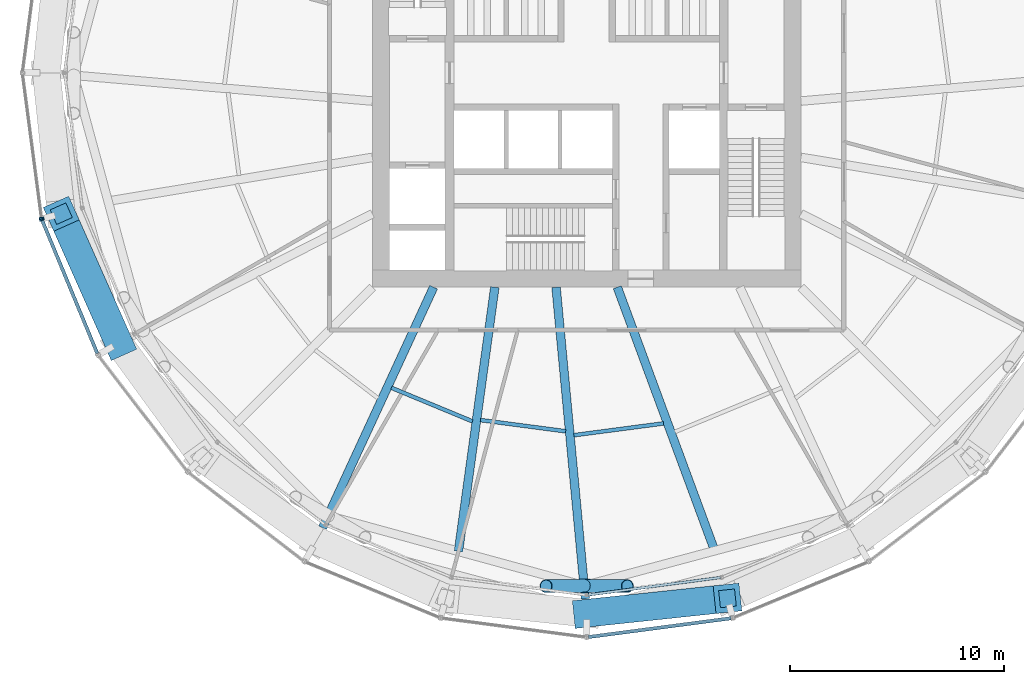
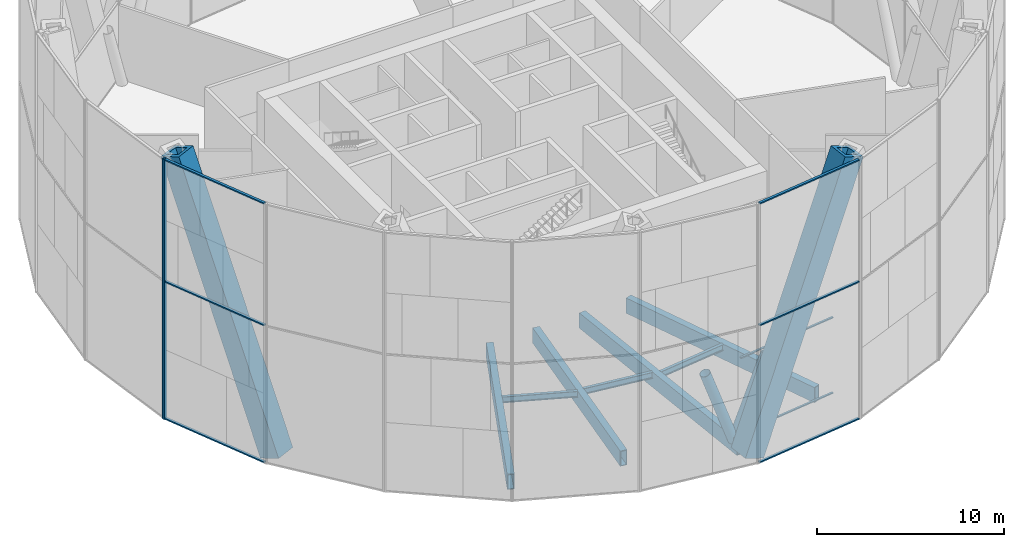
# One storey, part 2 of 16: 14 members, 7 beams, 4 elements without a shape of their own.
"""IFC4 building model written with IfcOpenShell, lengths in metres."""

from ifc_helpers import new_model, si_unit, direction, frame, origin, origin_2d, place, context, subcontext, project, spatial, rectangle, hollow_rectangle, hollow_circle, i_section, extrude, material, material_profile, profile_set, type_object, element, aggregate, save


model = new_model("IFC4")

# Units and contexts
model_context = context("Model", 3, precision=1e-05, world=origin(), true_north=direction((0.0, 1.0)))
body_context = subcontext(model_context, "Body", "Model", "MODEL_VIEW")
ifc_project = project(units=[si_unit("LENGTHUNIT", "METRE"), si_unit("AREAUNIT", "SQUARE_METRE"), si_unit("VOLUMEUNIT", "CUBIC_METRE"), si_unit("PLANEANGLEUNIT", "RADIAN"), si_unit("MASSUNIT", "GRAM", prefix="KILO")], contexts=[model_context])

# Site, building, storey
site_placement = place(None, origin())
site = spatial("IfcSite", under=ifc_project, at=site_placement, CompositionType="ELEMENT")
building_placement = place(site_placement, origin())
building = spatial("IfcBuilding", under=site, at=building_placement, Name="Golbaran Civic Tower", CompositionType="ELEMENT")
storey_placement = place(building_placement, frame((0.0, 0.0, 85.0)))
storey = spatial("IfcBuildingStorey", under=building, at=storey_placement, Name="L20", CompositionType="ELEMENT", Elevation=85.0)

# Members
ifc_material_1 = material(Name="Steel S355", Category="steel")
ifc_material_profile_1 = material_profile(ifc_material_1, hollow_circle(Radius=0.304931640625, WallThickness=0.02490234375, at=origin_2d()), Name="CHS 610.0x25")
ifc_profile_set_1 = profile_set([ifc_material_profile_1], Name="Steel S355")
member_type_1 = type_object("IfcMemberType", Name="BELT TRUSS DIAGONAL CHS 610.0x25", PredefinedType="BRACE", material=ifc_profile_set_1)
member_1_placement = place(storey_placement, frame((-0.12060546875, -23.92724609375, -0.60009765625), z_axis=(0.37411916029, -0.003622552992, 0.927373566053), x_axis=(0.009682431606, 0.99995312416, 0.0)))
element("IfcMember", 1, at=member_1_placement, inside=storey, type_object=member_type_1, Name="Belt truss diagonal 270.00R L20", PredefinedType="BRACE", context=body_context, shape_type="SweptSolid", body=[
    extrude(hollow_circle(Radius=0.304931640625, WallThickness=0.02490234375, at=origin_2d()), origin(), (0.0, 0.0, 1.0), 5.3916015625),
])
member_2_placement = place(storey_placement, frame((-0.12060546875, -23.92724609375, -0.60009765625), z_axis=(-0.334689673848, -0.003680942247, 0.942321215342), x_axis=(0.010997410246, -0.999939526655, 0.0)))
element("IfcMember", 2, at=member_2_placement, inside=storey, type_object=member_type_1, Name="Belt truss diagonal 270.00L L20", PredefinedType="BRACE", context=body_context, shape_type="SweptSolid", body=[
    extrude(hollow_circle(Radius=0.304931640625, WallThickness=0.02490234375, at=origin_2d()), origin(), (0.0, 0.0, 1.0), 5.30615234375),
])
ifc_material_profile_2 = material_profile(ifc_material_1, hollow_rectangle(XDim=1.300048828125, YDim=1.300048828125, WallThickness=0.25, at=origin_2d()), Name="BOX 1300x1300x250")
ifc_profile_set_2 = profile_set([ifc_material_profile_2], Name="Steel S355")
member_type_2 = type_object("IfcMemberType", Name="DIAGRID DIAGONAL BOX 1300x1300x250", PredefinedType="BRACE", material=ifc_profile_set_2)
for number, where, z_axis, x_axis, name in (
    (3, (-21.833251953125, -12.60546875, -0.7099609375), (-0.14710040459, 0.330972563789, 0.932104410991), (-0.913810024533, -0.406141895231, 0.0), "Diagonal D04-07L L20-L24"),
    (4, (0.0, -25.2109375, -0.7099609375), (0.360181059018, 0.038096974541, 0.932104192274), (-0.105184981916, 0.994452673373, 0.0), "Diagonal D04-09R L20-L24"),
):
    element("IfcMember", number, at=place(storey_placement, frame(where, z_axis=z_axis, x_axis=x_axis)), inside=storey, type_object=member_type_2, Name=name, PredefinedType="BRACE", context=body_context, shape_type="SweptSolid", body=[
        extrude(hollow_rectangle(XDim=1.300048828125, YDim=1.300048828125, WallThickness=0.25, at=origin_2d()), origin(), (0.0, 0.0, 1.0), 18.23828125),
    ])

# Beams
ifc_material_profile_3 = material_profile(ifc_material_1, i_section(OverallWidth=0.179931640625, OverallDepth=0.39990234375, WebThickness=0.008544921875, FlangeThickness=0.013427734375, FilletRadius=0.02099609375, at=origin_2d()), Name="IPE 400")
ifc_profile_set_3 = profile_set([ifc_material_profile_3], Name="Steel S355")
beam_type_1 = type_object("IfcBeamType", Name="FLOOR INFILL BEAM IPE 400", PredefinedType="BEAM", material=ifc_profile_set_3)
beam_1_placement = place(storey_placement, frame((-9.11083984375, -14.6923828125, -0.39990234375), z_axis=(0.923891810372, -0.382653789642, 0.0), x_axis=(0.382653789642, 0.923891810372, 0.0)))
element("IfcBeam", 5, at=beam_1_placement, inside=storey, type_object=beam_type_1, Name="Infill beam 247.50 L20", PredefinedType="BEAM", context=body_context, shape_type="SweptSolid", body=[
    extrude(i_section(OverallWidth=0.179931640625, OverallDepth=0.39990234375, WebThickness=0.008544921875, FlangeThickness=0.013427734375, FilletRadius=0.02099609375, at=origin_2d()), origin(), (0.0, 0.0, 1.0), 4.093505859375),
])
beam_2_placement = place(storey_placement, frame((-4.95703125, -16.198486328125, -0.39990234375), z_axis=(0.991442282273, -0.13054578094, 0.0), x_axis=(0.13054578094, 0.991442282273, 0.0)))
element("IfcBeam", 6, at=beam_2_placement, inside=storey, type_object=beam_type_1, Name="Infill beam 262.50 L20", PredefinedType="BEAM", context=body_context, shape_type="SweptSolid", body=[
    extrude(i_section(OverallWidth=0.179931640625, OverallDepth=0.39990234375, WebThickness=0.008544921875, FlangeThickness=0.013427734375, FilletRadius=0.02099609375, at=origin_2d()), origin(), (0.0, 0.0, 1.0), 4.013427734375),
])
beam_3_placement = place(storey_placement, frame((-0.59912109375, -16.906005859375, -0.39990234375), z_axis=(0.991444253389, 0.130530810237, 0.0), x_axis=(-0.130530810237, 0.991444253389, 0.0)))
element("IfcBeam", 7, at=beam_3_placement, inside=storey, type_object=beam_type_1, Name="Infill beam 277.50 L20", PredefinedType="BEAM", context=body_context, shape_type="SweptSolid", body=[
    extrude(i_section(OverallWidth=0.179931640625, OverallDepth=0.39990234375, WebThickness=0.008544921875, FlangeThickness=0.013427734375, FilletRadius=0.02099609375, at=origin_2d()), origin(), (0.0, 0.0, 1.0), 4.221435546875),
])

# Curtain wall, member
ifc_material_2 = material(Name="Aluminium and glass", Category="aluminium")
curtain_wall_type_1 = type_object("IfcCurtainWallType", Name="OUTER SKIN TERRACOTTA SCREEN", PredefinedType="NOTDEFINED", material=ifc_material_2)
curtain_wall_1_placement = place(storey_placement, origin())
curtain_wall_1 = element("IfcCurtainWall", 8, at=curtain_wall_1_placement, inside=storey, type_object=curtain_wall_type_1, Name="Outer skin L20 facet 13 CW3", ObjectType="OUTER SKIN", PredefinedType="USERDEFINED")
ifc_material_3 = material(Name="Aluminium", Category="aluminium")
ifc_material_profile_4 = material_profile(ifc_material_3, rectangle(XDim=0.219970703125, YDim=0.080078125, at=origin_2d()), Name="OUTER SKIN TERRACOTTA SCREEN MULLION")
ifc_profile_set_4 = profile_set([ifc_material_profile_4], Name="Aluminium")
member_type_3 = type_object("IfcMemberType", Name="OUTER SKIN TERRACOTTA SCREEN MULLION", PredefinedType="MULLION", material=ifc_profile_set_4)
member_3_placement = place(storey_placement, frame((-25.43896484375, -6.775390625, -0.7099609375), z_axis=(0.0, 0.0, 1.0), x_axis=(0.991444861374, 0.13052619222, 0.0)))
member_3 = element("IfcMember", 9, at=member_3_placement, type_object=member_type_3, Name="CW3 mullion 2", PredefinedType="MULLION", context=body_context, shape_type="SweptSolid", body=[
    extrude(rectangle(XDim=0.219970703125, YDim=0.080078125, at=origin_2d()), origin(), (0.0, 0.0, 1.0), 17.0),
])
aggregate(curtain_wall_1, [member_3])

# Curtain wall, members
curtain_wall_2_placement = place(storey_placement, origin())
curtain_wall_2 = element("IfcCurtainWall", 10, at=curtain_wall_2_placement, inside=storey, type_object=curtain_wall_type_1, Name="Outer skin L20 facet 14 CW3", ObjectType="OUTER SKIN", PredefinedType="USERDEFINED")
member_4_placement = place(storey_placement, frame((-25.41845703125, -6.851806640625, -0.7099609375), z_axis=(0.0, 0.0, 1.0), x_axis=(0.923879532498, 0.382683432397, 0.0)))
member_4 = element("IfcMember", 11, at=member_4_placement, type_object=member_type_3, Name="CW3 mullion 1", PredefinedType="MULLION", context=body_context, shape_type="SweptSolid", body=[
    extrude(rectangle(XDim=0.219970703125, YDim=0.080078125, at=origin_2d()), origin(), (0.0, 0.0, 1.0), 17.0),
])
ifc_material_profile_5 = material_profile(ifc_material_3, rectangle(XDim=0.159912109375, YDim=0.080078125, at=origin_2d()), Name="OUTER SKIN TERRACOTTA SCREEN TRANSOM")
ifc_profile_set_5 = profile_set([ifc_material_profile_5], Name="Aluminium")
member_type_4 = type_object("IfcMemberType", Name="OUTER SKIN TERRACOTTA SCREEN TRANSOM", PredefinedType="USERDEFINED", material=ifc_profile_set_5)
member_5_placement = place(storey_placement, frame((-25.403076171875, -6.888916015625, -0.669921875), z_axis=(0.382667609507, -0.923886086395, 0.0), x_axis=(0.923886086395, 0.382667609507, 0.0)))
member_5 = element("IfcMember", 12, at=member_5_placement, type_object=member_type_4, Name="CW3 transom 1.1", ObjectType="TRANSOM", PredefinedType="USERDEFINED", context=body_context, shape_type="SweptSolid", body=[
    extrude(rectangle(XDim=0.159912109375, YDim=0.080078125, at=origin_2d()), origin(), (0.0, 0.0, 1.0), 6.713623046875),
])
member_6_placement = place(storey_placement, frame((-25.403076171875, -6.888916015625, 8.2900390625), z_axis=(0.382667609507, -0.923886086395, 0.0), x_axis=(0.923886086395, 0.382667609507, 0.0)))
member_6 = element("IfcMember", 13, at=member_6_placement, type_object=member_type_4, Name="CW3 transom 1.2", ObjectType="TRANSOM", PredefinedType="USERDEFINED", context=body_context, shape_type="SweptSolid", body=[
    extrude(rectangle(XDim=0.159912109375, YDim=0.080078125, at=origin_2d()), origin(), (0.0, 0.0, 1.0), 6.713623046875),
])
member_7_placement = place(storey_placement, frame((-25.403076171875, -6.888916015625, 16.25), z_axis=(0.382667609507, -0.923886086395, 0.0), x_axis=(0.923886086395, 0.382667609507, 0.0)))
member_7 = element("IfcMember", 14, at=member_7_placement, type_object=member_type_4, Name="CW3 transom 1.3", ObjectType="TRANSOM", PredefinedType="USERDEFINED", context=body_context, shape_type="SweptSolid", body=[
    extrude(rectangle(XDim=0.159912109375, YDim=0.080078125, at=origin_2d()), origin(), (0.0, 0.0, 1.0), 6.713623046875),
])
aggregate(curtain_wall_2, [member_4, member_5, member_6, member_7])

curtain_wall_3_placement = place(storey_placement, origin())
curtain_wall_3 = element("IfcCurtainWall", 15, at=curtain_wall_3_placement, inside=storey, type_object=curtain_wall_type_1, Name="Outer skin L20 facet 19 CW3", ObjectType="OUTER SKIN", PredefinedType="USERDEFINED")
member_8_placement = place(storey_placement, frame((0.079345703125, -26.320556640625, -0.669921875), z_axis=(0.991446619865, 0.130512834459, 0.0), x_axis=(-0.130512834459, 0.991446619865, 0.0)))
member_8 = element("IfcMember", 16, at=member_8_placement, type_object=member_type_4, Name="CW3 transom 1.1", ObjectType="TRANSOM", PredefinedType="USERDEFINED", context=body_context, shape_type="SweptSolid", body=[
    extrude(rectangle(XDim=0.159912109375, YDim=0.080078125, at=origin_2d()), origin(), (0.0, 0.0, 1.0), 6.713623046875),
])
member_9_placement = place(storey_placement, frame((0.079345703125, -26.320556640625, 8.2900390625), z_axis=(0.991446619865, 0.130512834459, 0.0), x_axis=(-0.130512834459, 0.991446619865, 0.0)))
member_9 = element("IfcMember", 17, at=member_9_placement, type_object=member_type_4, Name="CW3 transom 1.2", ObjectType="TRANSOM", PredefinedType="USERDEFINED", context=body_context, shape_type="SweptSolid", body=[
    extrude(rectangle(XDim=0.159912109375, YDim=0.080078125, at=origin_2d()), origin(), (0.0, 0.0, 1.0), 6.713623046875),
])
member_10_placement = place(storey_placement, frame((0.079345703125, -26.320556640625, 16.25), z_axis=(0.991446619865, 0.130512834459, 0.0), x_axis=(-0.130512834459, 0.991446619865, 0.0)))
member_10 = element("IfcMember", 18, at=member_10_placement, type_object=member_type_4, Name="CW3 transom 1.3", ObjectType="TRANSOM", PredefinedType="USERDEFINED", context=body_context, shape_type="SweptSolid", body=[
    extrude(rectangle(XDim=0.159912109375, YDim=0.080078125, at=origin_2d()), origin(), (0.0, 0.0, 1.0), 6.713623046875),
])
aggregate(curtain_wall_3, [member_8, member_9, member_10])

curtain_wall_type_2 = type_object("IfcCurtainWallType", Name="PLANT FLOOR LOUVRE WALL", PredefinedType="NOTDEFINED", material=ifc_material_2)
curtain_wall_4_placement = place(storey_placement, origin())
curtain_wall_4 = element("IfcCurtainWall", 19, at=curtain_wall_4_placement, inside=storey, type_object=curtain_wall_type_2, Name="Inner skin L20 facet 19 CW6", ObjectType="PLANT LOUVRE WALL", PredefinedType="USERDEFINED")
ifc_material_profile_6 = material_profile(ifc_material_3, rectangle(XDim=0.1201171875, YDim=0.070068359375, at=origin_2d()), Name="PLANT FLOOR LOUVRE WALL TRANSOM")
ifc_profile_set_6 = profile_set([ifc_material_profile_6], Name="Aluminium")
member_type_5 = type_object("IfcMemberType", Name="PLANT FLOOR LOUVRE WALL TRANSOM", PredefinedType="USERDEFINED", material=ifc_profile_set_6)
member_11_placement = place(storey_placement, frame((0.0693359375, -24.35693359375, 0.034912109375), z_axis=(0.991444541651, 0.130528620731, 0.0), x_axis=(-0.130528620731, 0.991444541651, 0.0)))
member_11 = element("IfcMember", 20, at=member_11_placement, type_object=member_type_5, Name="CW6 transom 1.1", ObjectType="TRANSOM", PredefinedType="USERDEFINED", context=body_context, shape_type="SweptSolid", body=[
    extrude(rectangle(XDim=0.1201171875, YDim=0.070068359375, at=origin_2d()), origin(), (0.0, 0.0, 1.0), 6.220947265625),
])
member_12_placement = place(storey_placement, frame((0.0693359375, -24.35693359375, 4.965087890625), z_axis=(0.991444541651, 0.130528620731, 0.0), x_axis=(-0.130528620731, 0.991444541651, 0.0)))
member_12 = element("IfcMember", 21, at=member_12_placement, type_object=member_type_5, Name="CW6 transom 1.2", ObjectType="TRANSOM", PredefinedType="USERDEFINED", context=body_context, shape_type="SweptSolid", body=[
    extrude(rectangle(XDim=0.1201171875, YDim=0.070068359375, at=origin_2d()), origin(), (0.0, 0.0, 1.0), 6.220947265625),
])
aggregate(curtain_wall_4, [member_11, member_12])

# Beams
ifc_material_profile_7 = material_profile(ifc_material_1, hollow_rectangle(XDim=0.39990234375, YDim=1.0, WallThickness=0.0400390625, at=origin_2d()), Name="BOX 1000x400x40")
ifc_profile_set_7 = profile_set([ifc_material_profile_7], Name="Steel S355")
beam_type_2 = type_object("IfcBeamType", Name="RADIAL FLOOR BEAM BOX 1000x400x40", PredefinedType="BEAM", material=ifc_profile_set_7)
beam_4_placement = place(storey_placement, frame((-7.142822265625, -10.0, -0.7099609375), z_axis=(-0.419127075414, -0.907927582274, 0.0), x_axis=(0.907927582274, -0.419127075414, 0.0)))
element("IfcBeam", 22, at=beam_4_placement, inside=storey, type_object=beam_type_2, Name="Radial beam 240.00 L20", PredefinedType="BEAM", context=body_context, shape_type="SweptSolid", body=[
    extrude(hollow_rectangle(XDim=0.39990234375, YDim=1.0, WallThickness=0.0400390625, at=origin_2d()), origin(), (0.0, 0.0, 1.0), 12.35888671875),
])
beam_5_placement = place(storey_placement, frame((-1.428466796875, -10.0, -0.7099609375), z_axis=(0.093489863226, -0.995620231551, 0.0), x_axis=(0.995620231551, 0.093489863226, 0.0)))
element("IfcBeam", 23, at=beam_5_placement, inside=storey, type_object=beam_type_2, Name="Radial beam 270.00 L20", PredefinedType="BEAM", context=body_context, shape_type="SweptSolid", body=[
    extrude(hollow_rectangle(XDim=0.39990234375, YDim=1.0, WallThickness=0.0400390625, at=origin_2d()), origin(), (0.0, 0.0, 1.0), 14.60302734375),
])
ifc_material_profile_8 = material_profile(ifc_material_1, hollow_rectangle(XDim=0.39990234375, YDim=1.0, WallThickness=0.0400390625, at=origin_2d()), Name="BOX 1000x400x40")
ifc_profile_set_8 = profile_set([ifc_material_profile_8], Name="Steel S355")
beam_type_3 = type_object("IfcBeamType", Name="SECONDARY FLOOR BEAM BOX 1000x400x40", PredefinedType="BEAM", material=ifc_profile_set_8)
beam_6_placement = place(storey_placement, frame((-4.28564453125, -10.0, -0.7099609375), z_axis=(-0.136359168618, -0.990659465777, 0.0), x_axis=(0.990659465777, -0.136359168618, 0.0)))
element("IfcBeam", 24, at=beam_6_placement, inside=storey, type_object=beam_type_3, Name="Secondary beam 255.00 L20", PredefinedType="BEAM", context=body_context, shape_type="SweptSolid", body=[
    extrude(hollow_rectangle(XDim=0.39990234375, YDim=1.0, WallThickness=0.0400390625, at=origin_2d()), origin(), (0.0, 0.0, 1.0), 12.441650390625),
])
beam_7_placement = place(storey_placement, frame((1.428466796875, -10.0, -0.7099609375), z_axis=(0.34676591715, -0.937951703822, 0.0), x_axis=(0.937951703822, 0.34676591715, 0.0)))
element("IfcBeam", 25, at=beam_7_placement, inside=storey, type_object=beam_type_3, Name="Secondary beam 285.00 L20", PredefinedType="BEAM", context=body_context, shape_type="SweptSolid", body=[
    extrude(hollow_rectangle(XDim=0.39990234375, YDim=1.0, WallThickness=0.0400390625, at=origin_2d()), origin(), (0.0, 0.0, 1.0), 13.10791015625),
])

save(model, "model.ifc")
